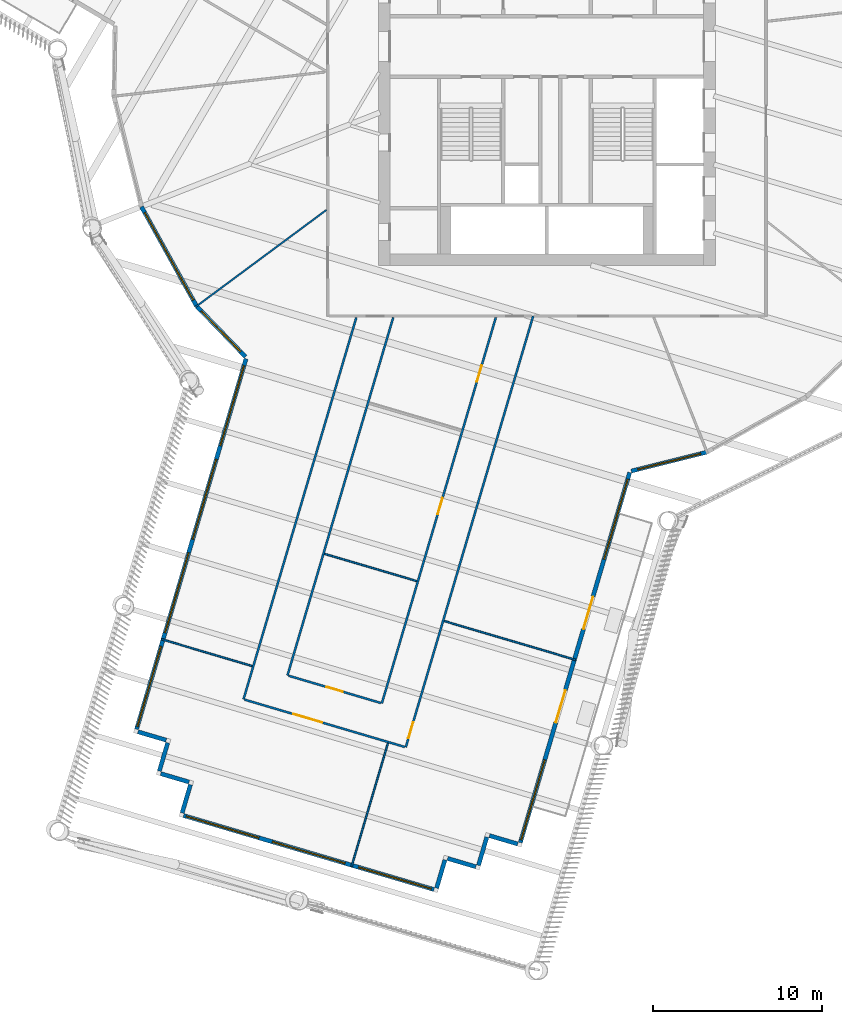
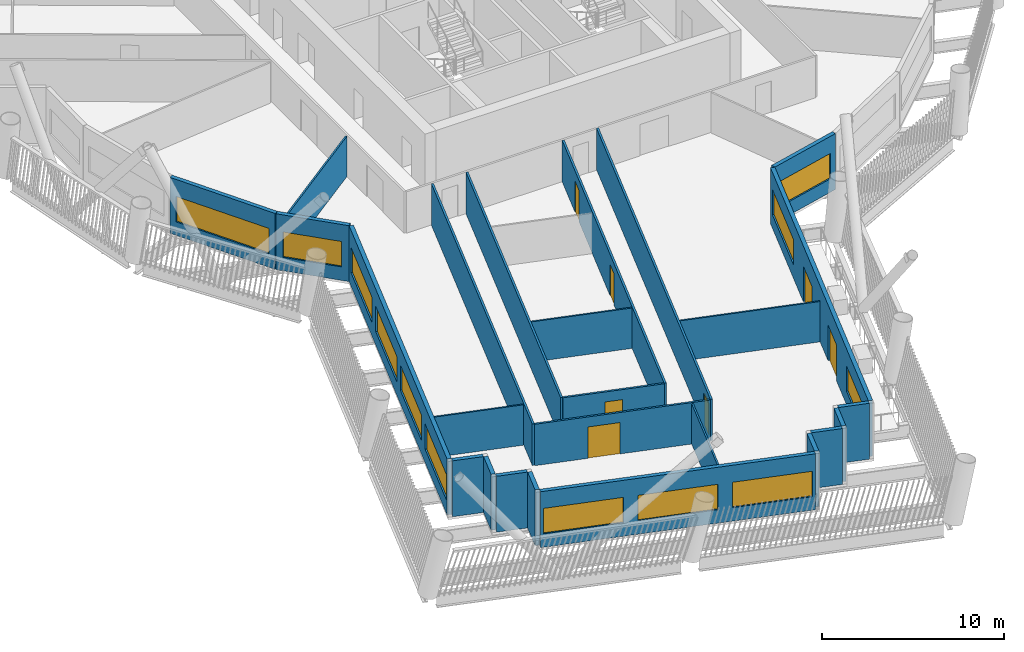
# One storey, part 3 of 23: 25 walls, 12 windows, 7 doors, 19 openings.
"""IFC4 building model written with IfcOpenShell, lengths in metres."""

from ifc_helpers import new_model, si_unit, direction, frame, frame_2d, origin, place, context, subcontext, project, spatial, rectangle, extrude, material, layer, layer_set, type_object, element, fill, save


model = new_model("IFC4")

# Units and contexts
model_context = context("Model", 3, precision=1e-05, world=origin(), true_north=direction((0.0, 1.0)))
body_context = subcontext(model_context, "Body", "Model", "MODEL_VIEW")
ifc_project = project(units=[si_unit("LENGTHUNIT", "METRE"), si_unit("AREAUNIT", "SQUARE_METRE"), si_unit("VOLUMEUNIT", "CUBIC_METRE"), si_unit("PLANEANGLEUNIT", "RADIAN"), si_unit("MASSUNIT", "GRAM", prefix="KILO")], contexts=[model_context])

# Site, building, storey
site_placement = place(None, origin())
site = spatial("IfcSite", under=ifc_project, at=site_placement, CompositionType="ELEMENT")
building_placement = place(site_placement, origin())
building = spatial("IfcBuilding", under=site, at=building_placement, Name="Tarsis Ring Headquarters", CompositionType="ELEMENT")
storey_placement = place(building_placement, frame((0.0, 0.0, 155.39990234375)))
storey = spatial("IfcBuildingStorey", under=building, at=storey_placement, Name="L35", CompositionType="ELEMENT", Elevation=155.39990234375)

# Walls
ifc_material_1 = material(Name="Gypsum board on steel studs", Category="steel")
ifc_layer_1 = layer(ifc_material_1, 0.10009765625)
ifc_layer_set_1 = layer_set([ifc_layer_1], Name="FL partition 100 unrated")
wall_type_1 = type_object("IfcWallType", Name="FL partition 100 unrated", PredefinedType="PARTITIONING", material=ifc_layer_set_1)
wall_1_placement = place(storey_placement, frame((-20.84765625, -15.448974609375, 0.0), z_axis=(0.0, 0.0, 1.0), x_axis=(0.803444443478, 0.595379732813, 0.0)))
element("IfcWall", 1, at=wall_1_placement, inside=storey, type_object=wall_type_1, Name="Partition PW3", PredefinedType="PARTITIONING", context=body_context, shape_type="SweptSolid", body=[
    extrude(rectangle(XDim=9.66748046875, YDim=0.10009765625, at=frame_2d((4.833740234375, 0.0))), origin(), (0.0, 0.0, 1.0), 2.7001953125),
])
wall_2_placement = place(storey_placement, frame((-6.08935546875, -34.091796875, 0.0), z_axis=(0.0, 0.0, 1.0), x_axis=(0.959014740744, -0.283356184045, 0.0)))
element("IfcWall", 2, at=wall_2_placement, inside=storey, type_object=wall_type_1, Name="Partition PW3", PredefinedType="PARTITIONING", context=body_context, shape_type="SweptSolid", body=[
    extrude(rectangle(XDim=8.130126953125, YDim=0.10009765625, at=frame_2d((4.06494140625, 0.0))), origin(), (0.0, 0.0, 1.0), 2.7001953125),
])
wall_3_placement = place(storey_placement, frame((-11.592529296875, -48.659423828125, 0.0), z_axis=(0.0, 0.0, 1.0), x_axis=(0.283344134478, 0.959018300898, 0.0)))
element("IfcWall", 3, at=wall_3_placement, inside=storey, type_object=wall_type_1, Name="Partition PW3", PredefinedType="PARTITIONING", context=body_context, shape_type="SweptSolid", body=[
    extrude(rectangle(XDim=7.6298828125, YDim=0.10009765625, at=frame_2d((3.81494140625, 0.0))), origin(), (0.0, 0.0, 1.0), 2.7001953125),
])
wall_4_placement = place(storey_placement, frame((-13.191162109375, -30.106201171875, 0.0), z_axis=(0.0, 0.0, 1.0), x_axis=(0.959023791639, -0.283325549627, 0.0)))
element("IfcWall", 4, at=wall_4_placement, inside=storey, type_object=wall_type_1, Name="Partition PW3", PredefinedType="PARTITIONING", context=body_context, shape_type="SweptSolid", body=[
    extrude(rectangle(XDim=5.7001953125, YDim=0.10009765625, at=frame_2d((2.85009765625, 0.0))), origin(), (0.0, 0.0, 1.0), 2.7001953125),
])
wall_5_placement = place(storey_placement, frame((-22.853515625, -35.176025390625, 0.0), z_axis=(0.0, 0.0, 1.0), x_axis=(0.959012852849, -0.283362573517, 0.0)))
element("IfcWall", 5, at=wall_5_placement, inside=storey, type_object=wall_type_1, Name="Partition PW3", PredefinedType="PARTITIONING", context=body_context, shape_type="SweptSolid", body=[
    extrude(rectangle(XDim=5.58984375, YDim=0.10009765625, at=frame_2d((2.794921875, 0.0))), origin(), (0.0, 0.0, 1.0), 2.7001953125),
])

# Wall, opening, door
ifc_layer_2 = layer(ifc_material_1, 0.125)
ifc_layer_set_2 = layer_set([ifc_layer_2], Name="FL partition 125 EI 60 H2770")
wall_type_2 = type_object("IfcWallType", Name="FL partition 125 EI 60 H2770", PredefinedType="PARTITIONING", material=ifc_layer_set_2)
wall_6_placement = place(storey_placement, frame((-8.375, -41.5810546875, 0.0), z_axis=(0.0, 0.0, 1.0), x_axis=(0.283348436794, 0.959017029758, 0.0)))
wall_6 = element("IfcWall", 6, at=wall_6_placement, inside=storey, type_object=wall_type_2, Name="Partition PW1", PredefinedType="PARTITIONING", context=body_context, shape_type="SweptSolid", body=[
    extrude(rectangle(XDim=26.67431640625, YDim=0.125, at=frame_2d((13.337158203125, 0.0))), origin(), (0.0, 0.0, 1.0), 2.77001953125),
])
opening_1_placement = place(wall_6_placement, frame((0.550048828125, 0.0, 0.0)))
opening_1 = element("IfcOpeningElement", 7, at=opening_1_placement, cuts=wall_6, Name="Opening D35.10", PredefinedType="OPENING", context=body_context, shape_type="SweptSolid", body=[
    extrude(rectangle(XDim=1.0, YDim=2.10009765625, at=frame_2d((0.5, 1.050048828125))), frame((0.0, 0.072509765625, 0.0), z_axis=(0.0, -1.0, 0.0), x_axis=(1.0, 0.0, 0.0)), (0.0, 0.0, 1.0), 0.14501953125),
])
ifc_material_2 = material(Name="Fire-rated timber door leaf in steel frame", Category="steel")
door_type_1 = type_object("IfcDoorType", Name="FL door FD60-1000", OperationType="NOTDEFINED", PredefinedType="DOOR", material=ifc_material_2)
door_1_placement = place(opening_1_placement, origin())
door_1 = element("IfcDoor", 8, at=door_1_placement, inside=storey, type_object=door_type_1, Name="Door D35.10", OperationType="SINGLE_SWING_LEFT", OverallHeight=2.10009765625, OverallWidth=1.0, PredefinedType="DOOR", context=body_context, shape_type="SweptSolid", body=[
    extrude(rectangle(XDim=1.0, YDim=2.10009765625, at=frame_2d((0.5, 1.050048828125))), frame((0.0, 0.02490234375, 0.0), z_axis=(0.0, -1.0, 0.0), x_axis=(1.0, 0.0, 0.0)), (0.0, 0.0, 1.0), 0.050048828125),
])
fill(opening_1, door_1)

# Wall, openings, doors
wall_7_placement = place(storey_placement, frame((-9.7939453125, -38.97216796875, 0.0), z_axis=(0.0, 0.0, 1.0), x_axis=(0.283348706078, 0.959016950196, 0.0)))
wall_7 = element("IfcWall", 9, at=wall_7_placement, inside=storey, type_object=wall_type_2, Name="Partition PW1", PredefinedType="PARTITIONING", context=body_context, shape_type="SweptSolid", body=[
    extrude(rectangle(XDim=23.8740234375, YDim=0.125, at=frame_2d((11.93701171875, 0.0))), origin(), (0.0, 0.0, 1.0), 2.77001953125),
])
opening_2_placement = place(wall_7_placement, frame((19.902099609375, 0.0, 0.0)))
opening_2 = element("IfcOpeningElement", 10, at=opening_2_placement, cuts=wall_7, Name="Opening D35.16", PredefinedType="OPENING", context=body_context, shape_type="SweptSolid", body=[
    extrude(rectangle(XDim=1.0, YDim=2.10009765625, at=frame_2d((0.5, 1.050048828125))), frame((0.0, 0.072509765625, 0.0), z_axis=(0.0, -1.0, 0.0), x_axis=(1.0, 0.0, 0.0)), (0.0, 0.0, 1.0), 0.14501953125),
])
opening_3_placement = place(wall_7_placement, frame((11.69775390625, 0.0, 0.0)))
opening_3 = element("IfcOpeningElement", 11, at=opening_3_placement, cuts=wall_7, Name="Opening D35.17", PredefinedType="OPENING", context=body_context, shape_type="SweptSolid", body=[
    extrude(rectangle(XDim=1.0, YDim=2.10009765625, at=frame_2d((0.5, 1.050048828125))), frame((0.0, 0.072509765625, 0.0), z_axis=(0.0, -1.0, 0.0), x_axis=(1.0, 0.0, 0.0)), (0.0, 0.0, 1.0), 0.14501953125),
])
door_2_placement = place(opening_2_placement, origin())
door_2 = element("IfcDoor", 12, at=door_2_placement, inside=storey, type_object=door_type_1, Name="Door D35.16", OperationType="SINGLE_SWING_LEFT", OverallHeight=2.10009765625, OverallWidth=1.0, PredefinedType="DOOR", context=body_context, shape_type="SweptSolid", body=[
    extrude(rectangle(XDim=1.0, YDim=2.10009765625, at=frame_2d((0.5, 1.050048828125))), frame((0.0, 0.02490234375, 0.0), z_axis=(0.0, -1.0, 0.0), x_axis=(1.0, 0.0, 0.0)), (0.0, 0.0, 1.0), 0.050048828125),
])
fill(opening_2, door_2)
door_3_placement = place(opening_3_placement, origin())
door_3 = element("IfcDoor", 13, at=door_3_placement, inside=storey, type_object=door_type_1, Name="Door D35.17", OperationType="SINGLE_SWING_RIGHT", OverallHeight=2.10009765625, OverallWidth=1.0, PredefinedType="DOOR", context=body_context, shape_type="SweptSolid", body=[
    extrude(rectangle(XDim=1.0, YDim=2.10009765625, at=frame_2d((0.5, 1.050048828125))), frame((0.0, 0.02490234375, 0.0), z_axis=(0.0, -1.0, 0.0), x_axis=(1.0, 0.0, 0.0)), (0.0, 0.0, 1.0), 0.050048828125),
])
fill(opening_3, door_3)

# Walls
wall_8_placement = place(storey_placement, frame((-18.003662109375, -38.736328125, 0.0), z_axis=(0.0, 0.0, 1.0), x_axis=(0.283352620401, 0.959015793672, 0.0)))
element("IfcWall", 14, at=wall_8_placement, inside=storey, type_object=wall_type_2, Name="Partition PW1", PredefinedType="PARTITIONING", context=body_context, shape_type="SweptSolid", body=[
    extrude(rectangle(XDim=23.6279296875, YDim=0.125, at=frame_2d((11.81396484375, 0.0))), origin(), (0.0, 0.0, 1.0), 2.77001953125),
])
wall_9_placement = place(storey_placement, frame((-15.39453125, -37.3173828125, 0.0), z_axis=(0.0, 0.0, 1.0), x_axis=(0.283344758567, 0.959018116509, 0.0)))
element("IfcWall", 15, at=wall_9_placement, inside=storey, type_object=wall_type_2, Name="Partition PW1", PredefinedType="PARTITIONING", context=body_context, shape_type="SweptSolid", body=[
    extrude(rectangle(XDim=22.1484375, YDim=0.125, at=frame_2d((11.07421875, 0.0))), origin(), (0.0, 0.0, 1.0), 2.77001953125),
])

# Wall, opening, door
wall_10_placement = place(storey_placement, frame((-17.946044921875, -38.75341796875, 0.0), z_axis=(0.0, 0.0, 1.0), x_axis=(0.959024243507, -0.2833240201, 0.0)))
wall_10 = element("IfcWall", 16, at=wall_10_placement, inside=storey, type_object=wall_type_2, Name="Partition PW1", PredefinedType="PARTITIONING", context=body_context, shape_type="SweptSolid", body=[
    extrude(rectangle(XDim=9.919921875, YDim=0.125, at=frame_2d((4.9599609375, 0.0))), origin(), (0.0, 0.0, 1.0), 2.77001953125),
])
opening_4_placement = place(wall_10_placement, frame((3.010009765625, 0.0, 0.0)))
opening_4 = element("IfcOpeningElement", 17, at=opening_4_placement, cuts=wall_10, Name="Opening D35.11", PredefinedType="OPENING", context=body_context, shape_type="SweptSolid", body=[
    extrude(rectangle(XDim=1.800048828125, YDim=2.10009765625, at=frame_2d((0.89990234375, 1.050048828125))), frame((0.0, 0.072509765625, 0.0), z_axis=(0.0, -1.0, 0.0), x_axis=(1.0, 0.0, 0.0)), (0.0, 0.0, 1.0), 0.14501953125),
])
door_type_2 = type_object("IfcDoorType", Name="FL door FD60-1800", OperationType="DOUBLE_DOOR_SINGLE_SWING", PredefinedType="DOOR", material=ifc_material_2)
door_4_placement = place(opening_4_placement, origin())
door_4 = element("IfcDoor", 18, at=door_4_placement, inside=storey, type_object=door_type_2, Name="Door D35.11", OperationType="DOUBLE_DOOR_SINGLE_SWING", OverallHeight=2.10009765625, OverallWidth=1.800048828125, PredefinedType="DOOR", context=body_context, shape_type="SweptSolid", body=[
    extrude(rectangle(XDim=1.800048828125, YDim=2.10009765625, at=frame_2d((0.89990234375, 1.050048828125))), frame((0.0, 0.02490234375, 0.0), z_axis=(0.0, -1.0, 0.0), x_axis=(1.0, 0.0, 0.0)), (0.0, 0.0, 1.0), 0.050048828125),
])
fill(opening_4, door_4)

wall_11_placement = place(storey_placement, frame((-15.337158203125, -37.334228515625, 0.0), z_axis=(0.0, 0.0, 1.0), x_axis=(0.959012699665, -0.283363091952, 0.0)))
wall_11 = element("IfcWall", 19, at=wall_11_placement, inside=storey, type_object=wall_type_2, Name="Partition PW1", PredefinedType="PARTITIONING", context=body_context, shape_type="SweptSolid", body=[
    extrude(rectangle(XDim=5.719970703125, YDim=0.125, at=frame_2d((2.85986328125, 0.0))), origin(), (0.0, 0.0, 1.0), 2.77001953125),
])
opening_5_placement = place(wall_11_placement, frame((2.360107421875, 0.0, 0.0)))
opening_5 = element("IfcOpeningElement", 20, at=opening_5_placement, cuts=wall_11, Name="Opening D35.18", PredefinedType="OPENING", context=body_context, shape_type="SweptSolid", body=[
    extrude(rectangle(XDim=1.0, YDim=2.10009765625, at=frame_2d((0.5, 1.050048828125))), frame((0.0, 0.072509765625, 0.0), z_axis=(0.0, -1.0, 0.0), x_axis=(1.0, 0.0, 0.0)), (0.0, 0.0, 1.0), 0.14501953125),
])
door_5_placement = place(opening_5_placement, origin())
door_5 = element("IfcDoor", 21, at=door_5_placement, inside=storey, type_object=door_type_1, Name="Door D35.18", OperationType="SINGLE_SWING_LEFT", OverallHeight=2.10009765625, OverallWidth=1.0, PredefinedType="DOOR", context=body_context, shape_type="SweptSolid", body=[
    extrude(rectangle(XDim=1.0, YDim=2.10009765625, at=frame_2d((0.5, 1.050048828125))), frame((0.0, 0.02490234375, 0.0), z_axis=(0.0, -1.0, 0.0), x_axis=(1.0, 0.0, 0.0)), (0.0, 0.0, 1.0), 0.050048828125),
])
fill(opening_5, door_5)

# Wall, opening, window
ifc_material_3 = material(Name="Terracotta clad insulated panel wall", Category="masonry")
ifc_layer_3 = layer(ifc_material_3, 0.25)
ifc_layer_set_3 = layer_set([ifc_layer_3], Name="Facade wall terracotta panel 250")
wall_type_3 = type_object("IfcWallType", Name="Facade wall terracotta panel 250", PredefinedType="STANDARD", material=ifc_layer_set_3)
wall_12_placement = place(storey_placement, frame((-24.058837890625, -9.513916015625, 0.0), z_axis=(0.0, 0.0, 1.0), x_axis=(0.485399284766, -0.874292590812, 0.0)))
wall_12 = element("IfcWall", 22, at=wall_12_placement, inside=storey, type_object=wall_type_3, Name="External wall L35-04", PredefinedType="STANDARD", context=body_context, shape_type="SweptSolid", body=[
    extrude(rectangle(XDim=6.7216796875, YDim=0.25, at=frame_2d((3.36083984375, 0.0))), origin(), (0.0, 0.0, 1.0), 3.739990234375),
])
opening_6_placement = place(wall_12_placement, frame((0.3857421875, 0.0, 0.89990234375)))
opening_6 = element("IfcOpeningElement", 23, at=opening_6_placement, cuts=wall_12, Name="Opening WN07", PredefinedType="OPENING", context=body_context, shape_type="SweptSolid", body=[
    extrude(rectangle(XDim=5.949951171875, YDim=1.699951171875, at=frame_2d((2.97509765625, 0.85009765625))), frame((0.0, 0.135009765625, 0.0), z_axis=(0.0, -1.0, 0.0), x_axis=(1.0, 0.0, 0.0)), (0.0, 0.0, 1.0), 0.27001953125),
])
ifc_material_4 = material(Name="Aluminium framed double glazing", Category="aluminium")
window_type_1 = type_object("IfcWindowType", Name="Facade window 5950 x 1700", PartitioningType="SINGLE_PANEL", PredefinedType="WINDOW", material=ifc_material_4)
window_1_placement = place(opening_6_placement, origin())
window_1 = element("IfcWindow", 24, at=window_1_placement, inside=storey, type_object=window_type_1, Name="Window L35-04.1", OverallHeight=1.699951171875, OverallWidth=5.949951171875, PartitioningType="SINGLE_PANEL", PredefinedType="WINDOW", context=body_context, shape_type="SweptSolid", body=[
    extrude(rectangle(XDim=5.949951171875, YDim=1.699951171875, at=frame_2d((2.97509765625, 0.85009765625))), frame((0.0, 0.030029296875, 0.0), z_axis=(0.0, -1.0, 0.0), x_axis=(1.0, 0.0, 0.0)), (0.0, 0.0, 1.0), 0.06005859375),
])
fill(opening_6, window_1)

wall_13_placement = place(storey_placement, frame((-20.77685546875, -15.416748046875, 0.0), z_axis=(0.0, 0.0, 1.0), x_axis=(0.695175877196, -0.718839689892, 0.0)))
wall_13 = element("IfcWall", 25, at=wall_13_placement, inside=storey, type_object=wall_type_3, Name="External wall L35-05", PredefinedType="STANDARD", context=body_context, shape_type="SweptSolid", body=[
    extrude(rectangle(XDim=4.15771484375, YDim=0.25, at=frame_2d((2.078857421875, 0.0))), origin(), (0.0, 0.0, 1.0), 3.739990234375),
])
opening_7_placement = place(wall_13_placement, frame((0.38720703125, 0.0, 0.89990234375)))
opening_7 = element("IfcOpeningElement", 26, at=opening_7_placement, cuts=wall_13, Name="Opening WN01", PredefinedType="OPENING", context=body_context, shape_type="SweptSolid", body=[
    extrude(rectangle(XDim=3.35009765625, YDim=1.699951171875, at=frame_2d((1.675048828125, 0.85009765625))), frame((0.0, 0.135009765625, 0.0), z_axis=(0.0, -1.0, 0.0), x_axis=(1.0, 0.0, 0.0)), (0.0, 0.0, 1.0), 0.27001953125),
])
window_type_2 = type_object("IfcWindowType", Name="Facade window 3350 x 1700", PartitioningType="SINGLE_PANEL", PredefinedType="WINDOW", material=ifc_material_4)
window_2_placement = place(opening_7_placement, origin())
window_2 = element("IfcWindow", 27, at=window_2_placement, inside=storey, type_object=window_type_2, Name="Window L35-05.1", OverallHeight=1.699951171875, OverallWidth=3.35009765625, PartitioningType="SINGLE_PANEL", PredefinedType="WINDOW", context=body_context, shape_type="SweptSolid", body=[
    extrude(rectangle(XDim=3.35009765625, YDim=1.699951171875, at=frame_2d((1.675048828125, 0.85009765625))), frame((0.0, 0.030029296875, 0.0), z_axis=(0.0, -1.0, 0.0), x_axis=(1.0, 0.0, 0.0)), (0.0, 0.0, 1.0), 0.06005859375),
])
fill(opening_7, window_2)

# Wall, openings, windows
wall_14_placement = place(storey_placement, frame((-17.8564453125, -18.52783203125, 0.0), z_axis=(0.0, 0.0, 1.0), x_axis=(-0.283348812624, -0.959016918717, 0.0)))
wall_14 = element("IfcWall", 28, at=wall_14_placement, inside=storey, type_object=wall_type_3, Name="External wall L35-06", PredefinedType="STANDARD", context=body_context, shape_type="SweptSolid", body=[
    extrude(rectangle(XDim=22.921875, YDim=0.25, at=frame_2d((11.4609375, 0.0))), origin(), (0.0, 0.0, 1.0), 3.739990234375),
])
opening_8_placement = place(wall_14_placement, frame((0.42138671875, 0.0, 0.89990234375)))
opening_8 = element("IfcOpeningElement", 29, at=opening_8_placement, cuts=wall_14, Name="Opening WN05", PredefinedType="OPENING", context=body_context, shape_type="SweptSolid", body=[
    extrude(rectangle(XDim=4.949951171875, YDim=1.699951171875, at=frame_2d((2.47509765625, 0.85009765625))), frame((0.0, 0.135009765625, 0.0), z_axis=(0.0, -1.0, 0.0), x_axis=(1.0, 0.0, 0.0)), (0.0, 0.0, 1.0), 0.27001953125),
])
opening_9_placement = place(wall_14_placement, frame((6.214599609375, 0.0, 0.89990234375)))
opening_9 = element("IfcOpeningElement", 30, at=opening_9_placement, cuts=wall_14, Name="Opening WN05", PredefinedType="OPENING", context=body_context, shape_type="SweptSolid", body=[
    extrude(rectangle(XDim=4.949951171875, YDim=1.699951171875, at=frame_2d((2.47509765625, 0.85009765625))), frame((0.0, 0.135009765625, 0.0), z_axis=(0.0, -1.0, 0.0), x_axis=(1.0, 0.0, 0.0)), (0.0, 0.0, 1.0), 0.27001953125),
])
opening_10_placement = place(wall_14_placement, frame((12.007568359375, 0.0, 0.89990234375)))
opening_10 = element("IfcOpeningElement", 31, at=opening_10_placement, cuts=wall_14, Name="Opening WN05", PredefinedType="OPENING", context=body_context, shape_type="SweptSolid", body=[
    extrude(rectangle(XDim=4.949951171875, YDim=1.699951171875, at=frame_2d((2.47509765625, 0.85009765625))), frame((0.0, 0.135009765625, 0.0), z_axis=(0.0, -1.0, 0.0), x_axis=(1.0, 0.0, 0.0)), (0.0, 0.0, 1.0), 0.27001953125),
])
opening_11_placement = place(wall_14_placement, frame((17.800537109375, 0.0, 0.89990234375)))
opening_11 = element("IfcOpeningElement", 32, at=opening_11_placement, cuts=wall_14, Name="Opening WN05", PredefinedType="OPENING", context=body_context, shape_type="SweptSolid", body=[
    extrude(rectangle(XDim=4.949951171875, YDim=1.699951171875, at=frame_2d((2.47509765625, 0.85009765625))), frame((0.0, 0.135009765625, 0.0), z_axis=(0.0, -1.0, 0.0), x_axis=(1.0, 0.0, 0.0)), (0.0, 0.0, 1.0), 0.27001953125),
])
window_type_3 = type_object("IfcWindowType", Name="Facade window 4950 x 1700", PartitioningType="SINGLE_PANEL", PredefinedType="WINDOW", material=ifc_material_4)
window_3_placement = place(opening_8_placement, origin())
window_3 = element("IfcWindow", 33, at=window_3_placement, inside=storey, type_object=window_type_3, Name="Window L35-06.1", OverallHeight=1.699951171875, OverallWidth=4.949951171875, PartitioningType="SINGLE_PANEL", PredefinedType="WINDOW", context=body_context, shape_type="SweptSolid", body=[
    extrude(rectangle(XDim=4.949951171875, YDim=1.699951171875, at=frame_2d((2.47509765625, 0.85009765625))), frame((0.0, 0.030029296875, 0.0), z_axis=(0.0, -1.0, 0.0), x_axis=(1.0, 0.0, 0.0)), (0.0, 0.0, 1.0), 0.06005859375),
])
fill(opening_8, window_3)
window_4_placement = place(opening_9_placement, origin())
window_4 = element("IfcWindow", 34, at=window_4_placement, inside=storey, type_object=window_type_3, Name="Window L35-06.2", OverallHeight=1.699951171875, OverallWidth=4.949951171875, PartitioningType="SINGLE_PANEL", PredefinedType="WINDOW", context=body_context, shape_type="SweptSolid", body=[
    extrude(rectangle(XDim=4.949951171875, YDim=1.699951171875, at=frame_2d((2.47509765625, 0.85009765625))), frame((0.0, 0.030029296875, 0.0), z_axis=(0.0, -1.0, 0.0), x_axis=(1.0, 0.0, 0.0)), (0.0, 0.0, 1.0), 0.06005859375),
])
fill(opening_9, window_4)
window_5_placement = place(opening_10_placement, origin())
window_5 = element("IfcWindow", 35, at=window_5_placement, inside=storey, type_object=window_type_3, Name="Window L35-06.3", OverallHeight=1.699951171875, OverallWidth=4.949951171875, PartitioningType="SINGLE_PANEL", PredefinedType="WINDOW", context=body_context, shape_type="SweptSolid", body=[
    extrude(rectangle(XDim=4.949951171875, YDim=1.699951171875, at=frame_2d((2.47509765625, 0.85009765625))), frame((0.0, 0.030029296875, 0.0), z_axis=(0.0, -1.0, 0.0), x_axis=(1.0, 0.0, 0.0)), (0.0, 0.0, 1.0), 0.06005859375),
])
fill(opening_10, window_5)
window_6_placement = place(opening_11_placement, origin())
window_6 = element("IfcWindow", 36, at=window_6_placement, inside=storey, type_object=window_type_3, Name="Window L35-06.4", OverallHeight=1.699951171875, OverallWidth=4.949951171875, PartitioningType="SINGLE_PANEL", PredefinedType="WINDOW", context=body_context, shape_type="SweptSolid", body=[
    extrude(rectangle(XDim=4.949951171875, YDim=1.699951171875, at=frame_2d((2.47509765625, 0.85009765625))), frame((0.0, 0.030029296875, 0.0), z_axis=(0.0, -1.0, 0.0), x_axis=(1.0, 0.0, 0.0)), (0.0, 0.0, 1.0), 0.06005859375),
])
fill(opening_11, window_6)

# Walls
for number, where, z_axis, x_axis, name in (
    (37, (-24.266845703125, -40.66552734375, 0.0), (0.0, 0.0, 1.0), (0.959015984834, -0.283351973407, 0.0), "External wall L35-07"),
    (38, (-22.504150390625, -41.31689453125, 0.0), (0.0, 0.0, 1.0), (-0.283351973407, -0.959015984834, 0.0), "External wall L35-08"),
    (39, (-22.91552734375, -43.150390625, 0.0), (0.0, 0.0, 1.0), (0.959015984834, -0.283351973407, 0.0), "External wall L35-09"),
    (40, (-21.15283203125, -43.801513671875, 0.0), (0.0, 0.0, 1.0), (-0.283351973407, -0.959015984834, 0.0), "External wall L35-10"),
):
    element("IfcWall", number, at=place(storey_placement, frame(where, z_axis=z_axis, x_axis=x_axis)), inside=storey, type_object=wall_type_3, Name=name, PredefinedType="STANDARD", context=body_context, shape_type="SweptSolid", body=[
        extrude(rectangle(XDim=1.75, YDim=0.25, at=frame_2d((0.875, 0.0))), origin(), (0.0, 0.0, 1.0), 3.739990234375),
    ])

# Wall, openings, windows
wall_15_placement = place(storey_placement, frame((-21.564208984375, -45.635009765625, 0.0), z_axis=(0.0, 0.0, 1.0), x_axis=(0.959017902608, -0.283345482541, 0.0)))
wall_15 = element("IfcWall", 41, at=wall_15_placement, inside=storey, type_object=wall_type_3, Name="External wall L35-11", PredefinedType="STANDARD", context=body_context, shape_type="SweptSolid", body=[
    extrude(rectangle(XDim=15.5, YDim=0.25, at=frame_2d((7.75, 0.0))), origin(), (0.0, 0.0, 1.0), 3.739990234375),
])
opening_12_placement = place(wall_15_placement, frame((0.166748046875, 0.0, 0.89990234375)))
opening_12 = element("IfcOpeningElement", 42, at=opening_12_placement, cuts=wall_15, Name="Opening WN04", PredefinedType="OPENING", context=body_context, shape_type="SweptSolid", body=[
    extrude(rectangle(XDim=4.5, YDim=1.699951171875, at=frame_2d((2.25, 0.85009765625))), frame((0.0, 0.135009765625, 0.0), z_axis=(0.0, -1.0, 0.0), x_axis=(1.0, 0.0, 0.0)), (0.0, 0.0, 1.0), 0.27001953125),
])
opening_13_placement = place(wall_15_placement, frame((5.5, 0.0, 0.89990234375)))
opening_13 = element("IfcOpeningElement", 43, at=opening_13_placement, cuts=wall_15, Name="Opening WN04", PredefinedType="OPENING", context=body_context, shape_type="SweptSolid", body=[
    extrude(rectangle(XDim=4.5, YDim=1.699951171875, at=frame_2d((2.25, 0.85009765625))), frame((0.0, 0.135009765625, 0.0), z_axis=(0.0, -1.0, 0.0), x_axis=(1.0, 0.0, 0.0)), (0.0, 0.0, 1.0), 0.27001953125),
])
opening_14_placement = place(wall_15_placement, frame((10.833251953125, 0.0, 0.89990234375)))
opening_14 = element("IfcOpeningElement", 44, at=opening_14_placement, cuts=wall_15, Name="Opening WN04", PredefinedType="OPENING", context=body_context, shape_type="SweptSolid", body=[
    extrude(rectangle(XDim=4.5, YDim=1.699951171875, at=frame_2d((2.25, 0.85009765625))), frame((0.0, 0.135009765625, 0.0), z_axis=(0.0, -1.0, 0.0), x_axis=(1.0, 0.0, 0.0)), (0.0, 0.0, 1.0), 0.27001953125),
])
window_type_4 = type_object("IfcWindowType", Name="Facade window 4500 x 1700", PartitioningType="SINGLE_PANEL", PredefinedType="WINDOW", material=ifc_material_4)
window_7_placement = place(opening_12_placement, origin())
window_7 = element("IfcWindow", 45, at=window_7_placement, inside=storey, type_object=window_type_4, Name="Window L35-11.1", OverallHeight=1.699951171875, OverallWidth=4.5, PartitioningType="SINGLE_PANEL", PredefinedType="WINDOW", context=body_context, shape_type="SweptSolid", body=[
    extrude(rectangle(XDim=4.5, YDim=1.699951171875, at=frame_2d((2.25, 0.85009765625))), frame((0.0, 0.030029296875, 0.0), z_axis=(0.0, -1.0, 0.0), x_axis=(1.0, 0.0, 0.0)), (0.0, 0.0, 1.0), 0.06005859375),
])
fill(opening_12, window_7)
window_8_placement = place(opening_13_placement, origin())
window_8 = element("IfcWindow", 46, at=window_8_placement, inside=storey, type_object=window_type_4, Name="Window L35-11.2", OverallHeight=1.699951171875, OverallWidth=4.5, PartitioningType="SINGLE_PANEL", PredefinedType="WINDOW", context=body_context, shape_type="SweptSolid", body=[
    extrude(rectangle(XDim=4.5, YDim=1.699951171875, at=frame_2d((2.25, 0.85009765625))), frame((0.0, 0.030029296875, 0.0), z_axis=(0.0, -1.0, 0.0), x_axis=(1.0, 0.0, 0.0)), (0.0, 0.0, 1.0), 0.06005859375),
])
fill(opening_13, window_8)
window_9_placement = place(opening_14_placement, origin())
window_9 = element("IfcWindow", 47, at=window_9_placement, inside=storey, type_object=window_type_4, Name="Window L35-11.3", OverallHeight=1.699951171875, OverallWidth=4.5, PartitioningType="SINGLE_PANEL", PredefinedType="WINDOW", context=body_context, shape_type="SweptSolid", body=[
    extrude(rectangle(XDim=4.5, YDim=1.699951171875, at=frame_2d((2.25, 0.85009765625))), frame((0.0, 0.030029296875, 0.0), z_axis=(0.0, -1.0, 0.0), x_axis=(1.0, 0.0, 0.0)), (0.0, 0.0, 1.0), 0.06005859375),
])
fill(opening_14, window_9)

# Walls
for number, where, z_axis, x_axis, name in (
    (48, (-6.544189453125, -49.9423828125, 0.0), (0.0, 0.0, 1.0), (0.283351973407, 0.959015984834, 0.0), "External wall L35-12"),
    (49, (-5.89306640625, -48.1796875, 0.0), (0.0, 0.0, 1.0), (0.959015984834, -0.283351973407, 0.0), "External wall L35-13"),
    (50, (-4.0595703125, -48.591064453125, 0.0), (0.0, 0.0, 1.0), (0.283351973407, 0.959015984834, 0.0), "External wall L35-14"),
    (51, (-3.408203125, -46.828369140625, 0.0), (0.0, 0.0, 1.0), (0.959015984834, -0.283351973407, 0.0), "External wall L35-15"),
):
    element("IfcWall", number, at=place(storey_placement, frame(where, z_axis=z_axis, x_axis=x_axis)), inside=storey, type_object=wall_type_3, Name=name, PredefinedType="STANDARD", context=body_context, shape_type="SweptSolid", body=[
        extrude(rectangle(XDim=1.75, YDim=0.25, at=frame_2d((0.875, 0.0))), origin(), (0.0, 0.0, 1.0), 3.739990234375),
    ])

# Wall, openings, doors, windows
wall_16_placement = place(storey_placement, frame((-1.57470703125, -47.23974609375, 0.0), z_axis=(0.0, 0.0, 1.0), x_axis=(0.283348146527, 0.95901711552, 0.0)))
wall_16 = element("IfcWall", 52, at=wall_16_placement, inside=storey, type_object=wall_type_3, Name="External wall L35-16", PredefinedType="STANDARD", context=body_context, shape_type="SweptSolid", body=[
    extrude(rectangle(XDim=22.901123046875, YDim=0.25, at=frame_2d((11.45068359375, 0.0))), origin(), (0.0, 0.0, 1.0), 3.739990234375),
])
opening_15_placement = place(wall_16_placement, frame((0.1689453125, 0.0, 0.89990234375)))
opening_15 = element("IfcOpeningElement", 53, at=opening_15_placement, cuts=wall_16, Name="Opening WN05", PredefinedType="OPENING", context=body_context, shape_type="SweptSolid", body=[
    extrude(rectangle(XDim=4.949951171875, YDim=1.699951171875, at=frame_2d((2.47509765625, 0.85009765625))), frame((0.0, 0.135009765625, 0.0), z_axis=(0.0, -1.0, 0.0), x_axis=(1.0, 0.0, 0.0)), (0.0, 0.0, 1.0), 0.27001953125),
])
opening_16_placement = place(wall_16_placement, frame((7.431640625, 0.0, 0.0)))
opening_16 = element("IfcOpeningElement", 54, at=opening_16_placement, cuts=wall_16, Name="Opening L35-BD03", PredefinedType="OPENING", context=body_context, shape_type="SweptSolid", body=[
    extrude(rectangle(XDim=2.0, YDim=2.39990234375, at=frame_2d((1.0, 1.199951171875))), frame((0.0, 0.135009765625, 0.0), z_axis=(0.0, -1.0, 0.0), x_axis=(1.0, 0.0, 0.0)), (0.0, 0.0, 1.0), 0.27001953125),
])
opening_17_placement = place(wall_16_placement, frame((13.219482421875, 0.0, 0.0)))
opening_17 = element("IfcOpeningElement", 55, at=opening_17_placement, cuts=wall_16, Name="Opening L35-BD04", PredefinedType="OPENING", context=body_context, shape_type="SweptSolid", body=[
    extrude(rectangle(XDim=2.0, YDim=2.39990234375, at=frame_2d((1.0, 1.199951171875))), frame((0.0, 0.135009765625, 0.0), z_axis=(0.0, -1.0, 0.0), x_axis=(1.0, 0.0, 0.0)), (0.0, 0.0, 1.0), 0.27001953125),
])
opening_18_placement = place(wall_16_placement, frame((17.532470703125, 0.0, 0.89990234375)))
opening_18 = element("IfcOpeningElement", 56, at=opening_18_placement, cuts=wall_16, Name="Opening WN05", PredefinedType="OPENING", context=body_context, shape_type="SweptSolid", body=[
    extrude(rectangle(XDim=4.949951171875, YDim=1.699951171875, at=frame_2d((2.47509765625, 0.85009765625))), frame((0.0, 0.135009765625, 0.0), z_axis=(0.0, -1.0, 0.0), x_axis=(1.0, 0.0, 0.0)), (0.0, 0.0, 1.0), 0.27001953125),
])
door_type_3 = type_object("IfcDoorType", Name="Balcony sliding door 2000 x 2400", OperationType="SLIDING_TO_LEFT", PredefinedType="DOOR", material=ifc_material_4)
door_6_placement = place(opening_16_placement, origin())
door_6 = element("IfcDoor", 57, at=door_6_placement, inside=storey, type_object=door_type_3, Name="Door L35-BD03", OperationType="SINGLE_SWING_LEFT", OverallHeight=2.39990234375, OverallWidth=2.0, PredefinedType="DOOR", context=body_context, shape_type="SweptSolid", body=[
    extrude(rectangle(XDim=2.0, YDim=2.39990234375, at=frame_2d((1.0, 1.199951171875))), frame((0.0, 0.02490234375, 0.0), z_axis=(0.0, -1.0, 0.0), x_axis=(1.0, 0.0, 0.0)), (0.0, 0.0, 1.0), 0.050048828125),
])
fill(opening_16, door_6)
door_7_placement = place(opening_17_placement, origin())
door_7 = element("IfcDoor", 58, at=door_7_placement, inside=storey, type_object=door_type_3, Name="Door L35-BD04", OperationType="SINGLE_SWING_LEFT", OverallHeight=2.39990234375, OverallWidth=2.0, PredefinedType="DOOR", context=body_context, shape_type="SweptSolid", body=[
    extrude(rectangle(XDim=2.0, YDim=2.39990234375, at=frame_2d((1.0, 1.199951171875))), frame((0.0, 0.02490234375, 0.0), z_axis=(0.0, -1.0, 0.0), x_axis=(1.0, 0.0, 0.0)), (0.0, 0.0, 1.0), 0.050048828125),
])
fill(opening_17, door_7)
window_10_placement = place(opening_15_placement, origin())
window_10 = element("IfcWindow", 59, at=window_10_placement, inside=storey, type_object=window_type_3, Name="Window L35-16.1", OverallHeight=1.699951171875, OverallWidth=4.949951171875, PartitioningType="SINGLE_PANEL", PredefinedType="WINDOW", context=body_context, shape_type="SweptSolid", body=[
    extrude(rectangle(XDim=4.949951171875, YDim=1.699951171875, at=frame_2d((2.47509765625, 0.85009765625))), frame((0.0, 0.030029296875, 0.0), z_axis=(0.0, -1.0, 0.0), x_axis=(1.0, 0.0, 0.0)), (0.0, 0.0, 1.0), 0.06005859375),
])
fill(opening_15, window_10)
window_11_placement = place(opening_18_placement, origin())
window_11 = element("IfcWindow", 60, at=window_11_placement, inside=storey, type_object=window_type_3, Name="Window L35-16.4", OverallHeight=1.699951171875, OverallWidth=4.949951171875, PartitioningType="SINGLE_PANEL", PredefinedType="WINDOW", context=body_context, shape_type="SweptSolid", body=[
    extrude(rectangle(XDim=4.949951171875, YDim=1.699951171875, at=frame_2d((2.47509765625, 0.85009765625))), frame((0.0, 0.030029296875, 0.0), z_axis=(0.0, -1.0, 0.0), x_axis=(1.0, 0.0, 0.0)), (0.0, 0.0, 1.0), 0.06005859375),
])
fill(opening_18, window_11)

# Wall, opening, window
wall_17_placement = place(storey_placement, frame((5.00390625, -25.191162109375, 0.0), z_axis=(0.0, 0.0, 1.0), x_axis=(0.970120726033, 0.242622704876, 0.0)))
wall_17 = element("IfcWall", 61, at=wall_17_placement, inside=storey, type_object=wall_type_3, Name="External wall L35-17", PredefinedType="STANDARD", context=body_context, shape_type="SweptSolid", body=[
    extrude(rectangle(XDim=4.61767578125, YDim=0.25, at=frame_2d((2.308837890625, 0.0))), origin(), (0.0, 0.0, 1.0), 3.739990234375),
])
opening_19_placement = place(wall_17_placement, frame((0.400390625, 0.0, 0.89990234375)))
opening_19 = element("IfcOpeningElement", 62, at=opening_19_placement, cuts=wall_17, Name="Opening WN02", PredefinedType="OPENING", context=body_context, shape_type="SweptSolid", body=[
    extrude(rectangle(XDim=3.85009765625, YDim=1.699951171875, at=frame_2d((1.925048828125, 0.85009765625))), frame((0.0, 0.135009765625, 0.0), z_axis=(0.0, -1.0, 0.0), x_axis=(1.0, 0.0, 0.0)), (0.0, 0.0, 1.0), 0.27001953125),
])
window_type_5 = type_object("IfcWindowType", Name="Facade window 3850 x 1700", PartitioningType="SINGLE_PANEL", PredefinedType="WINDOW", material=ifc_material_4)
window_12_placement = place(opening_19_placement, origin())
window_12 = element("IfcWindow", 63, at=window_12_placement, inside=storey, type_object=window_type_5, Name="Window L35-17.1", OverallHeight=1.699951171875, OverallWidth=3.85009765625, PartitioningType="SINGLE_PANEL", PredefinedType="WINDOW", context=body_context, shape_type="SweptSolid", body=[
    extrude(rectangle(XDim=3.85009765625, YDim=1.699951171875, at=frame_2d((1.925048828125, 0.85009765625))), frame((0.0, 0.030029296875, 0.0), z_axis=(0.0, -1.0, 0.0), x_axis=(1.0, 0.0, 0.0)), (0.0, 0.0, 1.0), 0.06005859375),
])
fill(opening_19, window_12)

save(model, "model.ifc")
